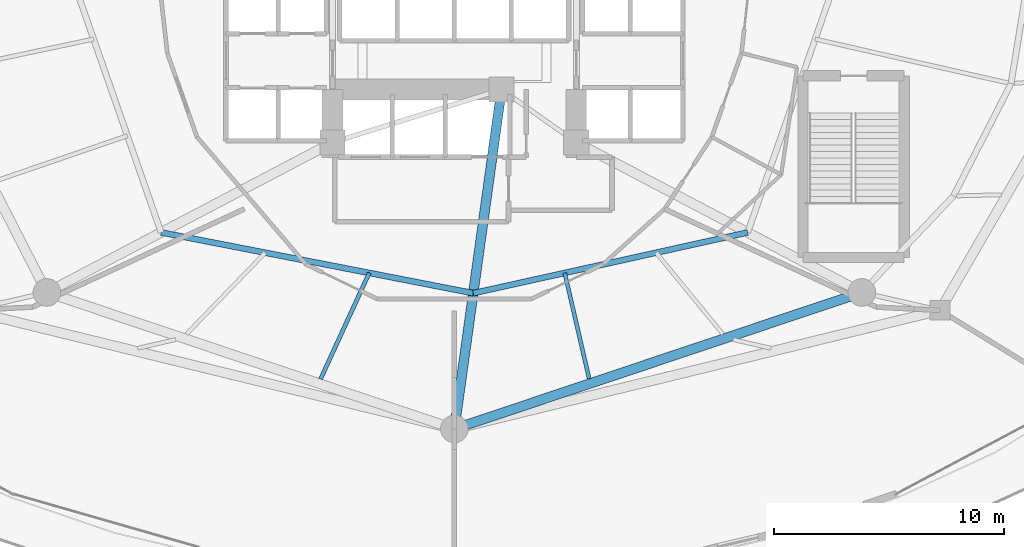
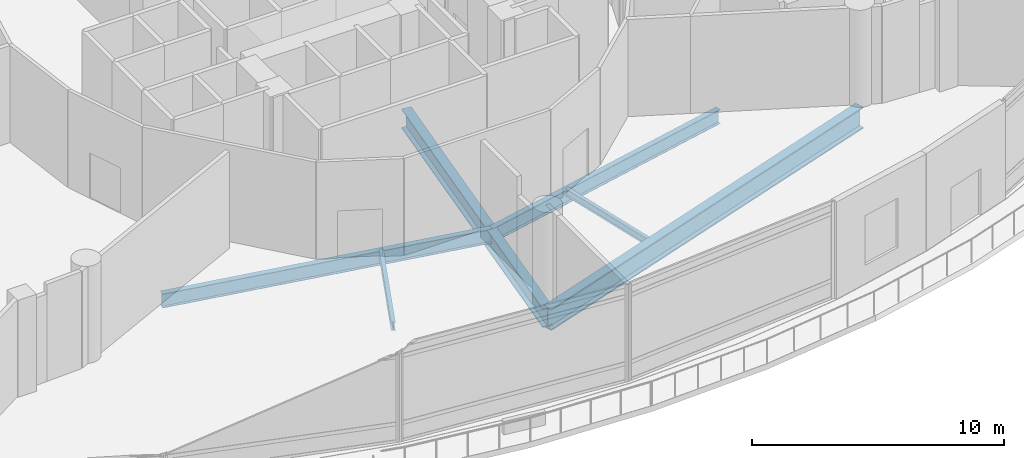
# One storey, part 10 of 37: 6 beams.
"""IFC4 building model written with IfcOpenShell, lengths in metres."""

from ifc_helpers import new_model, si_unit, direction, frame, origin, origin_2d, place, context, subcontext, project, spatial, i_section, extrude, material, material_profile, profile_set, type_object, element, save


model = new_model("IFC4")

# Units and contexts
model_context = context("Model", 3, precision=1e-05, world=origin(), true_north=direction((0.0, 1.0)))
body_context = subcontext(model_context, "Body", "Model", "MODEL_VIEW")
ifc_project = project(units=[si_unit("LENGTHUNIT", "METRE"), si_unit("AREAUNIT", "SQUARE_METRE"), si_unit("VOLUMEUNIT", "CUBIC_METRE"), si_unit("PLANEANGLEUNIT", "RADIAN"), si_unit("MASSUNIT", "GRAM", prefix="KILO")], contexts=[model_context])

# Site, building, storey
site_placement = place(None, origin())
site = spatial("IfcSite", under=ifc_project, at=site_placement, CompositionType="ELEMENT")
building_placement = place(site_placement, origin())
building = spatial("IfcBuilding", under=site, at=building_placement, Name="Nuhasar Tower", CompositionType="ELEMENT")
storey_placement = place(building_placement, frame((0.0, 0.0, 6.0)))
storey = spatial("IfcBuildingStorey", under=building, at=storey_placement, Name="L01", CompositionType="ELEMENT", Elevation=6.0)

# Beams
ifc_material_1 = material(Name="Steel S355", Category="steel")
ifc_material_profile_1 = material_profile(ifc_material_1, i_section(OverallWidth=0.25390625, OverallDepth=0.68408203125, WebThickness=0.012451171875, FlangeThickness=0.018798828125, at=origin_2d()), Name="W27X94")
ifc_profile_set_1 = profile_set([ifc_material_profile_1], Name="Steel S355")
beam_type_1 = type_object("IfcBeamType", Name="BM-INRING-W27X94", PredefinedType="BEAM", material=ifc_profile_set_1)
beam_1_placement = place(storey_placement, frame((26.251953125, 15.089111328125, -0.64208984375), z_axis=(0.981602977761, -0.190933480695, 0.0), x_axis=(0.190933480695, 0.981602977761, 0.0)))
element("IfcBeam", 1, at=beam_1_placement, inside=storey, type_object=beam_type_1, Name="L01 Inner Header Beam 01", PredefinedType="BEAM", context=body_context, shape_type="SweptSolid", body=[
    extrude(i_section(OverallWidth=0.25390625, OverallDepth=0.68408203125, WebThickness=0.012451171875, FlangeThickness=0.018798828125, at=origin_2d()), origin(), (0.0, 0.0, 1.0), 13.822509765625),
])
beam_2_placement = place(storey_placement, frame((39.820068359375, 12.449951171875, -0.64208984375), z_axis=(0.976386023343, 0.216033176665, 0.0), x_axis=(-0.216033176665, 0.976386023343, 0.0)))
element("IfcBeam", 2, at=beam_2_placement, inside=storey, type_object=beam_type_1, Name="L01 Inner Header Beam 02", PredefinedType="BEAM", context=body_context, shape_type="SweptSolid", body=[
    extrude(i_section(OverallWidth=0.25390625, OverallDepth=0.68408203125, WebThickness=0.012451171875, FlangeThickness=0.018798828125, at=origin_2d()), origin(), (0.0, 0.0, 1.0), 12.216552734375),
])
ifc_material_profile_2 = material_profile(ifc_material_1, i_section(OverallWidth=0.1708984375, OverallDepth=0.35205078125, WebThickness=0.0068359375, FlangeThickness=0.009765625, at=origin_2d()), Name="W14X30")
ifc_profile_set_2 = profile_set([ifc_material_profile_2], Name="Steel S355")
beam_type_2 = type_object("IfcBeamType", Name="BM-JST-W14X30", PredefinedType="JOIST", material=ifc_profile_set_2)
beam_3_placement = place(storey_placement, frame((43.7958984375, 13.330078125, -0.47607421875), z_axis=(0.224904818546, -0.974380738005, 0.0), x_axis=(0.974380738005, 0.224904818546, 0.0)))
element("IfcBeam", 3, at=beam_3_placement, inside=storey, type_object=beam_type_2, Name="L01 Secondary Floor Joist 03", PredefinedType="JOIST", context=body_context, shape_type="SweptSolid", body=[
    extrude(i_section(OverallWidth=0.1708984375, OverallDepth=0.35205078125, WebThickness=0.0068359375, FlangeThickness=0.009765625, at=origin_2d()), origin(), (0.0, 0.0, 1.0), 4.72216796875),
])
ifc_material_profile_3 = material_profile(ifc_material_1, i_section(OverallWidth=0.177978515625, OverallDepth=0.406005859375, WebThickness=0.0078125, FlangeThickness=0.0126953125, at=origin_2d()), Name="W16X40")
ifc_profile_set_3 = profile_set([ifc_material_profile_3], Name="Steel S355")
beam_type_3 = type_object("IfcBeamType", Name="BM-JST-W16X40", PredefinedType="JOIST", material=ifc_profile_set_3)
beam_4_placement = place(storey_placement, frame((35.297119140625, 13.330078125, -0.5029296875), z_axis=(-0.416659678272, -0.909062545979, 0.0), x_axis=(0.909062545979, -0.416659678272, 0.0)))
element("IfcBeam", 4, at=beam_4_placement, inside=storey, type_object=beam_type_3, Name="L01 Secondary Floor Joist 02", PredefinedType="JOIST", context=body_context, shape_type="SweptSolid", body=[
    extrude(i_section(OverallWidth=0.177978515625, OverallDepth=0.406005859375, WebThickness=0.0078125, FlangeThickness=0.0126953125, at=origin_2d()), origin(), (0.0, 0.0, 1.0), 5.07666015625),
])
ifc_material_profile_4 = material_profile(ifc_material_1, i_section(OverallWidth=0.419921875, OverallDepth=0.931884765625, WebThickness=0.021240234375, FlangeThickness=0.03662109375, at=origin_2d()), Name="W36X262")
ifc_profile_set_4 = profile_set([ifc_material_profile_4], Name="Steel S355")
beam_type_4 = type_object("IfcBeamType", Name="BM-POD-W36X262", PredefinedType="BEAM", material=ifc_profile_set_4)
beam_5_placement = place(storey_placement, frame((41.050048828125, 21.300048828125, -0.76611328125), z_axis=(-0.137663087856, -0.990479113481, 0.0), x_axis=(0.990479113481, -0.137663087856, 0.0)))
element("IfcBeam", 5, at=beam_5_placement, inside=storey, type_object=beam_type_4, Name="L01 Radial Floor Girder 02", PredefinedType="BEAM", context=body_context, shape_type="SweptSolid", body=[
    extrude(i_section(OverallWidth=0.419921875, OverallDepth=0.931884765625, WebThickness=0.021240234375, FlangeThickness=0.03662109375, at=origin_2d()), origin(), (0.0, 0.0, 1.0), 14.891845703125),
])
ifc_material_2 = material(Name="Steel S460", Category="steel")
ifc_material_profile_5 = material_profile(ifc_material_2, i_section(OverallWidth=0.419921875, OverallDepth=1.0400390625, WebThickness=0.031005859375, FlangeThickness=0.055908203125, at=origin_2d()), Name="W40X397")
ifc_profile_set_5 = profile_set([ifc_material_profile_5], Name="Steel S460")
beam_type_5 = type_object("IfcBeamType", Name="BM-XFER-W40X397", PredefinedType="USERDEFINED", material=ifc_profile_set_5)
beam_6_placement = place(storey_placement, frame((39.0, 6.550048828125, -0.820068359375), z_axis=(0.948255042429, 0.317509644748, 0.0), x_axis=(-0.317509644748, 0.948255042429, 0.0)))
element("IfcBeam", 6, at=beam_6_placement, inside=storey, type_object=beam_type_5, Name="L01 Mega-Column Ring Girder 02", ObjectType="GIRDER", PredefinedType="USERDEFINED", context=body_context, shape_type="SweptSolid", body=[
    extrude(i_section(OverallWidth=0.419921875, OverallDepth=1.0400390625, WebThickness=0.031005859375, FlangeThickness=0.055908203125, at=origin_2d()), origin(), (0.0, 0.0, 1.0), 18.679443359375),
])

save(model, "model.ifc")
